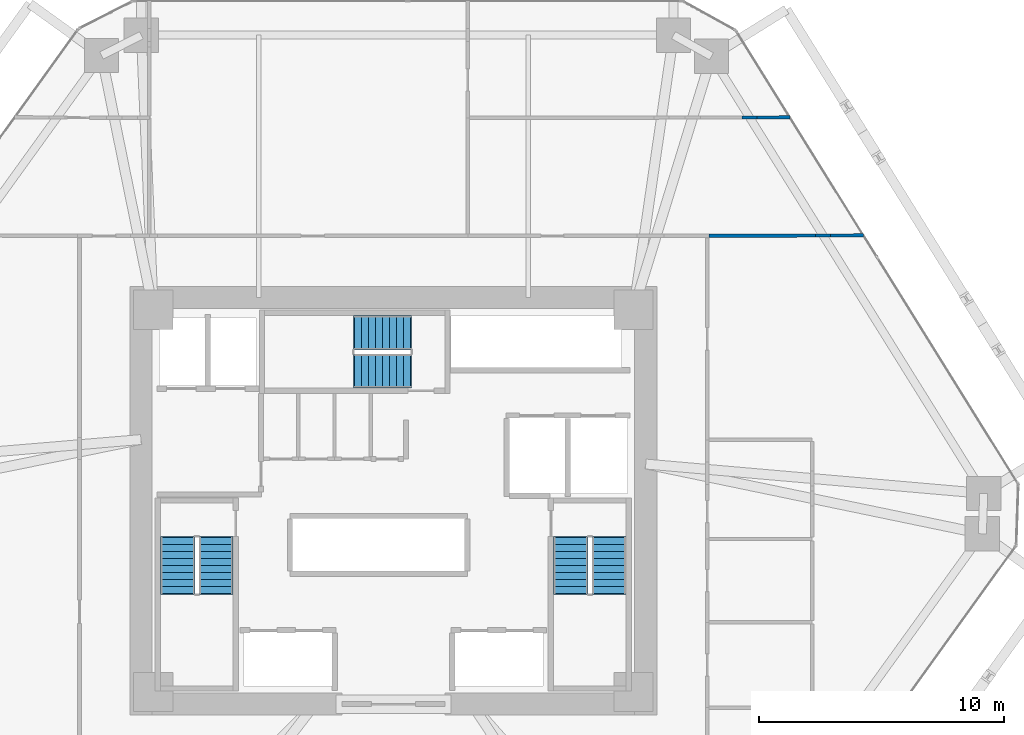
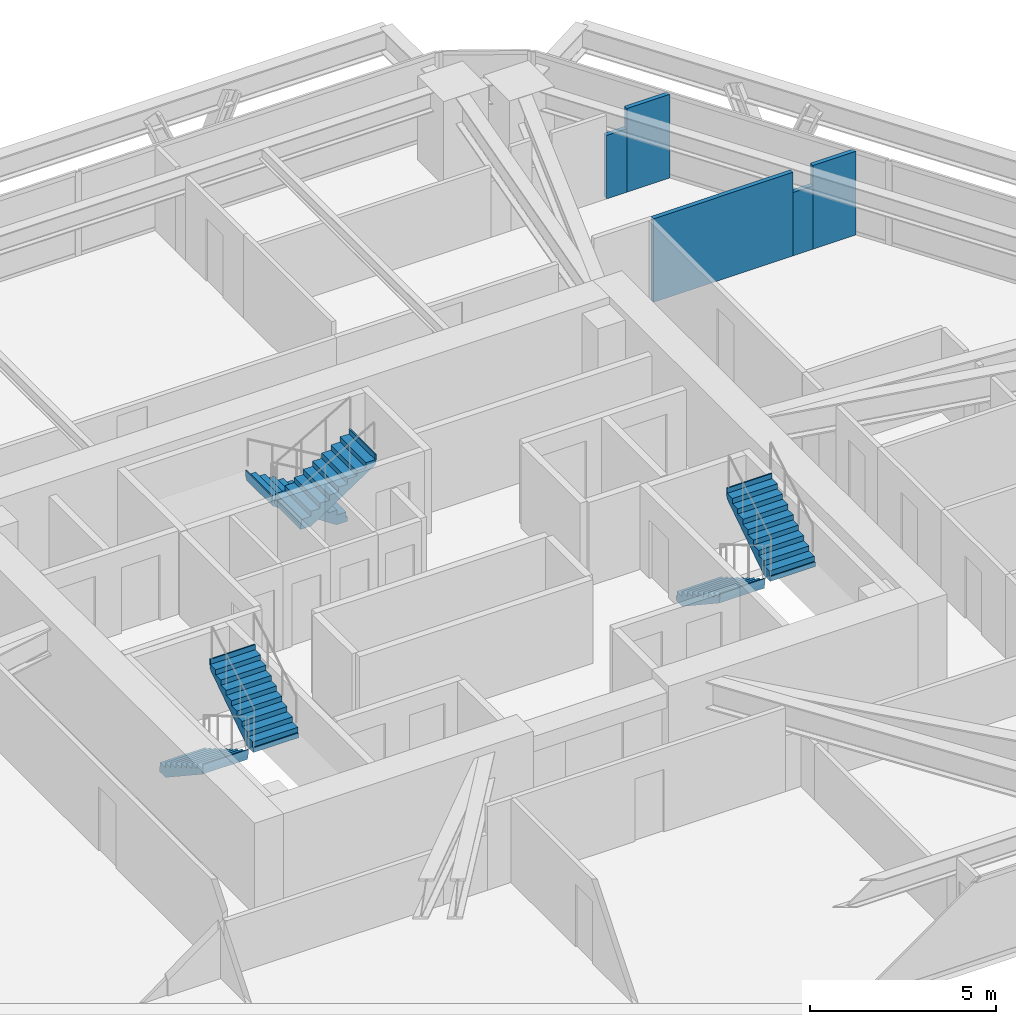
# One storey, part 14 of 15: 6 stair flights, 5 walls, 3 elements without a shape of their own.
"""IFC4 building model written with IfcOpenShell, lengths in metres."""

from ifc_helpers import new_model, si_unit, direction, frame, frame_2d, origin, place, context, subcontext, project, spatial, polyline, rectangle, outline, extrude, material, layer, layer_set, type_object, element, aggregate, save


model = new_model("IFC4")

# Units and contexts
model_context = context("Model", 3, precision=1e-05, world=origin(), true_north=direction((0.0, 1.0)))
body_context = subcontext(model_context, "Body", "Model", "MODEL_VIEW")
ifc_project = project(units=[si_unit("LENGTHUNIT", "METRE"), si_unit("AREAUNIT", "SQUARE_METRE"), si_unit("VOLUMEUNIT", "CUBIC_METRE"), si_unit("PLANEANGLEUNIT", "RADIAN"), si_unit("MASSUNIT", "GRAM", prefix="KILO")], contexts=[model_context])

# Site, building, storey
site_placement = place(None, origin())
site = spatial("IfcSite", under=ifc_project, at=site_placement, CompositionType="ELEMENT")
building_placement = place(site_placement, origin())
building = spatial("IfcBuilding", under=site, at=building_placement, Name="Durnholm Broadcast Tower", CompositionType="ELEMENT")
storey_placement = place(building_placement, frame((0.0, 0.0, 81.300048828125)))
storey = spatial("IfcBuildingStorey", under=building, at=storey_placement, Name="L21", CompositionType="ELEMENT", Elevation=81.300048828125)

# Walls
ifc_material_1 = material(Name="Gypsum Metal Stud Partition", Category="concrete")
ifc_layer = layer(ifc_material_1, 0.135009765625)
ifc_layer_set = layer_set([ifc_layer], Name="Gypsum Metal Stud Partition")
wall_type = type_object("IfcWallType", Name="WALL-PART-135", PredefinedType="PARTITIONING", material=ifc_layer_set)
wall_1_placement = place(storey_placement, frame((14.84765625, 15.64404296875, 0.0), z_axis=(0.0, 0.0, 1.0), x_axis=(0.999998931687, 0.001461719615, 0.0)))
element("IfcWall", 1, at=wall_1_placement, inside=storey, type_object=wall_type, Name="L21 room dividing partition 11.12", PredefinedType="PARTITIONING", context=body_context, shape_type="SweptSolid", body=[
    extrude(rectangle(XDim=1.336181640625, YDim=0.135009765625, at=frame_2d((0.66796875, 0.0))), origin(), (0.0, 0.0, 1.0), 2.744873046875),
])
wall_2_placement = place(storey_placement, frame((14.224853515625, 15.64306640625, 0.0), z_axis=(0.0, 0.0, 1.0), x_axis=(0.999998770671, 0.001568010616, 0.0)))
element("IfcWall", 2, at=wall_2_placement, inside=storey, type_object=wall_type, Name="L21 room dividing partition 11.12", PredefinedType="PARTITIONING", context=body_context, shape_type="SweptSolid", body=[
    extrude(rectangle(XDim=0.622802734375, YDim=0.135009765625, at=frame_2d((0.3115234375, 0.0))), origin(), (0.0, 0.0, 1.0), 2.079833984375),
])
wall_3_placement = place(storey_placement, frame((19.18212890625, 10.831298828125, 0.0), z_axis=(0.0, 0.0, 1.0), x_axis=(-0.999994579825, -0.00329246432, 0.0)))
element("IfcWall", 3, at=wall_3_placement, inside=storey, type_object=wall_type, Name="L21 room dividing partition 11.19", PredefinedType="PARTITIONING", context=body_context, shape_type="SweptSolid", body=[
    extrude(rectangle(XDim=1.334716796875, YDim=0.135009765625, at=frame_2d((0.66748046875, 0.0))), origin(), (0.0, 0.0, 1.0), 2.744873046875),
])
wall_4_placement = place(storey_placement, frame((17.225341796875, 10.82470703125, 0.0), z_axis=(0.0, 0.0, 1.0), x_axis=(-0.999994480721, -0.003322427884, 0.0)))
element("IfcWall", 4, at=wall_4_placement, inside=storey, type_object=wall_type, Name="L21 room dividing partition 11.19", PredefinedType="PARTITIONING", context=body_context, shape_type="SweptSolid", body=[
    extrude(rectangle(XDim=4.33544921875, YDim=0.135009765625, at=frame_2d((2.167724609375, 0.0))), origin(), (0.0, 0.0, 1.0), 2.744873046875),
])
wall_5_placement = place(storey_placement, frame((17.847412109375, 10.826904296875, 0.0), z_axis=(0.0, 0.0, 1.0), x_axis=(-0.999993761903, -0.00353216007, 0.0)))
element("IfcWall", 5, at=wall_5_placement, inside=storey, type_object=wall_type, Name="L21 room dividing partition 11.19", PredefinedType="PARTITIONING", context=body_context, shape_type="SweptSolid", body=[
    extrude(rectangle(XDim=0.6220703125, YDim=0.135009765625, at=frame_2d((0.31103515625, 0.0))), origin(), (0.0, 0.0, 1.0), 2.079833984375),
])

# Stair, stair flights
ifc_material_2 = material(Name="Concrete C50/60", Category="concrete")
stair_type = type_object("IfcStairType", Name="STAIR-DL-18R1667", PredefinedType="HALF_TURN_STAIR", material=ifc_material_2)
stair_1_placement = place(storey_placement, origin())
stair_1 = element("IfcStair", 6, at=stair_1_placement, inside=storey, type_object=stair_type, Name="L21 ST-1", PredefinedType="HALF_TURN_STAIR")
stair_flight_type = type_object("IfcStairFlightType", Name="FLIGHT-DL-18R1667", PredefinedType="STRAIGHT", material=ifc_material_2)
stair_flight_1_placement = place(storey_placement, frame((-8.800048828125, -1.5, 0.0), z_axis=(0.0, 0.0, 1.0), x_axis=(0.0, -1.0, 0.0)))
stair_flight_1 = element("IfcStairFlight", 7, at=stair_flight_1_placement, type_object=stair_flight_type, Name="ST-1 flight 1", NumberOfRisers=9, NumberOfTreads=8, PredefinedType="STRAIGHT", RiserHeight=0.166666667, TreadLength=0.285, context=body_context, shape_type="SweptSolid", body=[
    extrude(outline(polyline([(-0.0400390625, -0.14990234375), (-0.0400390625, 0.0), (0.0, 0.0), (0.0, 0.166748046875), (0.284912109375, 0.166748046875), (0.284912109375, 0.333251953125), (0.570068359375, 0.333251953125), (0.570068359375, 0.5), (0.85498046875, 0.5), (0.85498046875, 0.666748046875), (1.139892578125, 0.666748046875), (1.139892578125, 0.833251953125), (1.425048828125, 0.833251953125), (1.425048828125, 1.0), (1.7099609375, 1.0), (1.7099609375, 1.166748046875), (1.9951171875, 1.166748046875), (1.9951171875, 1.333251953125), (2.280029296875, 1.333251953125), (2.280029296875, 1.5), (2.320068359375, 1.5), (2.320068359375, 1.35009765625), (2.280029296875, 1.15966796875), (0.296875, -0.14990234375), (-0.0400390625, -0.14990234375)])), frame((0.0, 0.699951171875, 0.0), z_axis=(0.0, -1.0, 0.0), x_axis=(1.0, 0.0, 0.0)), (0.0, 0.0, 1.0), 1.39990234375),
])
stair_flight_2_placement = place(storey_placement, frame((-7.239990234375, -3.780029296875, 1.5), z_axis=(0.0, 0.0, 1.0), x_axis=(0.0, 1.0, 0.0)))
stair_flight_2 = element("IfcStairFlight", 8, at=stair_flight_2_placement, type_object=stair_flight_type, Name="ST-1 flight 2", NumberOfRisers=9, NumberOfTreads=8, PredefinedType="STRAIGHT", RiserHeight=0.166666667, TreadLength=0.285, context=body_context, shape_type="SweptSolid", body=[
    extrude(outline(polyline([(-0.0400390625, -0.14990234375), (-0.0400390625, 0.0), (0.0, 0.0), (0.0, 0.166748046875), (0.284912109375, 0.166748046875), (0.284912109375, 0.333251953125), (0.570068359375, 0.333251953125), (0.570068359375, 0.5), (0.85498046875, 0.5), (0.85498046875, 0.666748046875), (1.139892578125, 0.666748046875), (1.139892578125, 0.833251953125), (1.425048828125, 0.833251953125), (1.425048828125, 1.0), (1.7099609375, 1.0), (1.7099609375, 1.166748046875), (1.9951171875, 1.166748046875), (1.9951171875, 1.333251953125), (2.280029296875, 1.333251953125), (2.280029296875, 1.5), (2.320068359375, 1.5), (2.320068359375, 1.35009765625), (2.280029296875, 1.15966796875), (0.296875, -0.14990234375), (-0.0400390625, -0.14990234375)])), frame((0.0, 0.699951171875, 0.0), z_axis=(0.0, -1.0, 0.0), x_axis=(1.0, 0.0, 0.0)), (0.0, 0.0, 1.0), 1.39990234375),
])
aggregate(stair_1, [stair_flight_1, stair_flight_2])

stair_2_placement = place(storey_placement, origin())
stair_2 = element("IfcStair", 9, at=stair_2_placement, inside=storey, type_object=stair_type, Name="L21 ST-2", PredefinedType="HALF_TURN_STAIR")
stair_flight_3_placement = place(storey_placement, frame((7.239990234375, -1.5, 0.0), z_axis=(0.0, 0.0, 1.0), x_axis=(0.0, -1.0, 0.0)))
stair_flight_3 = element("IfcStairFlight", 10, at=stair_flight_3_placement, type_object=stair_flight_type, Name="ST-2 flight 1", NumberOfRisers=9, NumberOfTreads=8, PredefinedType="STRAIGHT", RiserHeight=0.166666667, TreadLength=0.285, context=body_context, shape_type="SweptSolid", body=[
    extrude(outline(polyline([(-0.0400390625, -0.14990234375), (-0.0400390625, 0.0), (0.0, 0.0), (0.0, 0.166748046875), (0.284912109375, 0.166748046875), (0.284912109375, 0.333251953125), (0.570068359375, 0.333251953125), (0.570068359375, 0.5), (0.85498046875, 0.5), (0.85498046875, 0.666748046875), (1.139892578125, 0.666748046875), (1.139892578125, 0.833251953125), (1.425048828125, 0.833251953125), (1.425048828125, 1.0), (1.7099609375, 1.0), (1.7099609375, 1.166748046875), (1.9951171875, 1.166748046875), (1.9951171875, 1.333251953125), (2.280029296875, 1.333251953125), (2.280029296875, 1.5), (2.320068359375, 1.5), (2.320068359375, 1.35009765625), (2.280029296875, 1.15966796875), (0.296875, -0.14990234375), (-0.0400390625, -0.14990234375)])), frame((0.0, 0.699951171875, 0.0), z_axis=(0.0, -1.0, 0.0), x_axis=(1.0, 0.0, 0.0)), (0.0, 0.0, 1.0), 1.39990234375),
])
stair_flight_4_placement = place(storey_placement, frame((8.800048828125, -3.780029296875, 1.5), z_axis=(0.0, 0.0, 1.0), x_axis=(0.0, 1.0, 0.0)))
stair_flight_4 = element("IfcStairFlight", 11, at=stair_flight_4_placement, type_object=stair_flight_type, Name="ST-2 flight 2", NumberOfRisers=9, NumberOfTreads=8, PredefinedType="STRAIGHT", RiserHeight=0.166666667, TreadLength=0.285, context=body_context, shape_type="SweptSolid", body=[
    extrude(outline(polyline([(-0.0400390625, -0.14990234375), (-0.0400390625, 0.0), (0.0, 0.0), (0.0, 0.166748046875), (0.284912109375, 0.166748046875), (0.284912109375, 0.333251953125), (0.570068359375, 0.333251953125), (0.570068359375, 0.5), (0.85498046875, 0.5), (0.85498046875, 0.666748046875), (1.139892578125, 0.666748046875), (1.139892578125, 0.833251953125), (1.425048828125, 0.833251953125), (1.425048828125, 1.0), (1.7099609375, 1.0), (1.7099609375, 1.166748046875), (1.9951171875, 1.166748046875), (1.9951171875, 1.333251953125), (2.280029296875, 1.333251953125), (2.280029296875, 1.5), (2.320068359375, 1.5), (2.320068359375, 1.35009765625), (2.280029296875, 1.15966796875), (0.296875, -0.14990234375), (-0.0400390625, -0.14990234375)])), frame((0.0, 0.699951171875, 0.0), z_axis=(0.0, -1.0, 0.0), x_axis=(1.0, 0.0, 0.0)), (0.0, 0.0, 1.0), 1.39990234375),
])
aggregate(stair_2, [stair_flight_3, stair_flight_4])

stair_3_placement = place(storey_placement, origin())
stair_3 = element("IfcStair", 12, at=stair_3_placement, inside=storey, type_object=stair_type, Name="L21 ST-3", PredefinedType="HALF_TURN_STAIR")
stair_flight_5_placement = place(storey_placement, frame((0.699951171875, 6.860107421875, 0.0), z_axis=(0.0, 0.0, 1.0), x_axis=(-1.0, 0.0, 0.0)))
stair_flight_5 = element("IfcStairFlight", 13, at=stair_flight_5_placement, type_object=stair_flight_type, Name="ST-3 flight 1", NumberOfRisers=9, NumberOfTreads=8, PredefinedType="STRAIGHT", RiserHeight=0.166666667, TreadLength=0.285, context=body_context, shape_type="SweptSolid", body=[
    extrude(outline(polyline([(-0.0400390625, -0.14990234375), (-0.0400390625, 0.0), (0.0, 0.0), (0.0, 0.166748046875), (0.284912109375, 0.166748046875), (0.284912109375, 0.333251953125), (0.570068359375, 0.333251953125), (0.570068359375, 0.5), (0.85498046875, 0.5), (0.85498046875, 0.666748046875), (1.139892578125, 0.666748046875), (1.139892578125, 0.833251953125), (1.425048828125, 0.833251953125), (1.425048828125, 1.0), (1.7099609375, 1.0), (1.7099609375, 1.166748046875), (1.9951171875, 1.166748046875), (1.9951171875, 1.333251953125), (2.280029296875, 1.333251953125), (2.280029296875, 1.5), (2.320068359375, 1.5), (2.320068359375, 1.35009765625), (2.280029296875, 1.15966796875), (0.296875, -0.14990234375), (-0.0400390625, -0.14990234375)])), frame((0.0, 0.699951171875, 0.0), z_axis=(0.0, -1.0, 0.0), x_axis=(1.0, 0.0, 0.0)), (0.0, 0.0, 1.0), 1.39990234375),
])
stair_flight_6_placement = place(storey_placement, frame((-1.580078125, 5.300048828125, 1.5), z_axis=(0.0, 0.0, 1.0), x_axis=(1.0, 0.0, 0.0)))
stair_flight_6 = element("IfcStairFlight", 14, at=stair_flight_6_placement, type_object=stair_flight_type, Name="ST-3 flight 2", NumberOfRisers=9, NumberOfTreads=8, PredefinedType="STRAIGHT", RiserHeight=0.166666667, TreadLength=0.285, context=body_context, shape_type="SweptSolid", body=[
    extrude(outline(polyline([(-0.0400390625, -0.14990234375), (-0.0400390625, 0.0), (0.0, 0.0), (0.0, 0.166748046875), (0.284912109375, 0.166748046875), (0.284912109375, 0.333251953125), (0.570068359375, 0.333251953125), (0.570068359375, 0.5), (0.85498046875, 0.5), (0.85498046875, 0.666748046875), (1.139892578125, 0.666748046875), (1.139892578125, 0.833251953125), (1.425048828125, 0.833251953125), (1.425048828125, 1.0), (1.7099609375, 1.0), (1.7099609375, 1.166748046875), (1.9951171875, 1.166748046875), (1.9951171875, 1.333251953125), (2.280029296875, 1.333251953125), (2.280029296875, 1.5), (2.320068359375, 1.5), (2.320068359375, 1.35009765625), (2.280029296875, 1.15966796875), (0.296875, -0.14990234375), (-0.0400390625, -0.14990234375)])), frame((0.0, 0.699951171875, 0.0), z_axis=(0.0, -1.0, 0.0), x_axis=(1.0, 0.0, 0.0)), (0.0, 0.0, 1.0), 1.39990234375),
])
aggregate(stair_3, [stair_flight_5, stair_flight_6])

save(model, "model.ifc")
